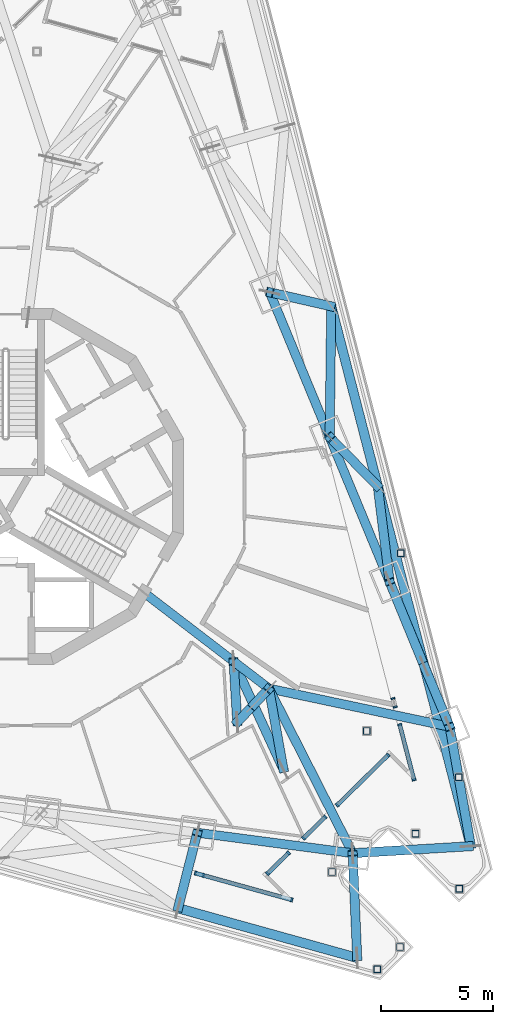
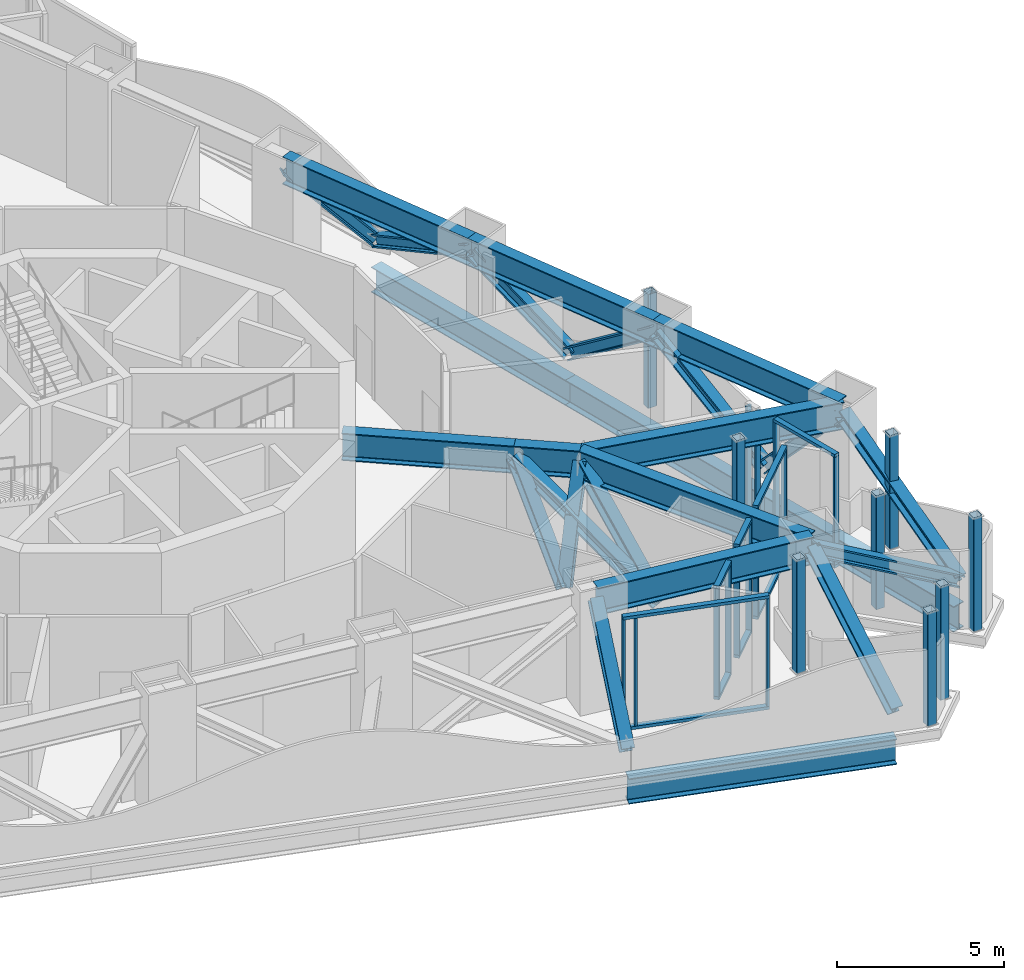
# One storey, part 3 of 22: 54 members, 4 beams, 6 elements without a shape of their own.
"""IFC4 building model written with IfcOpenShell, lengths in metres."""

from ifc_helpers import new_model, si_unit, direction, frame, origin, origin_2d, place, context, subcontext, project, spatial, rectangle, hollow_rectangle, i_section, extrude, material, layer, layer_set, material_profile, profile_set, type_object, element, aggregate, save


model = new_model("IFC4")

# Units and contexts
model_context = context("Model", 3, precision=1e-05, world=origin(), true_north=direction((0.0, 1.0)))
body_context = subcontext(model_context, "Body", "Model", "MODEL_VIEW")
ifc_project = project(units=[si_unit("LENGTHUNIT", "METRE"), si_unit("AREAUNIT", "SQUARE_METRE"), si_unit("VOLUMEUNIT", "CUBIC_METRE"), si_unit("PLANEANGLEUNIT", "RADIAN"), si_unit("MASSUNIT", "GRAM", prefix="KILO")], contexts=[model_context])

# Site, building, storey
site_placement = place(None, origin())
site = spatial("IfcSite", under=ifc_project, at=site_placement, CompositionType="ELEMENT")
building_placement = place(site_placement, origin())
building = spatial("IfcBuilding", under=site, at=building_placement, Name="Trine Commons Tower", CompositionType="ELEMENT")
storey_placement = place(building_placement, frame((0.0, 0.0, 267.300048828125)))
storey = spatial("IfcBuildingStorey", under=building, at=storey_placement, Name="L70", CompositionType="ELEMENT", Elevation=267.300048828125)

# Curtain wall, members
ifc_material_1 = material(Name="Sky lounge glazing: anodised aluminium frame with low-emissivity double glazed unit, solar control", Category="aluminium")
ifc_layer = layer(ifc_material_1, 0.179931640625)
ifc_layer_set = layer_set([ifc_layer], Name="Sky lounge glazing: anodised aluminium frame with low-emissivity double glazed unit, solar control")
curtain_wall_type = type_object("IfcCurtainWallType", Name="Sky lounge glazing curtain wall CW5", PredefinedType="NOTDEFINED", material=ifc_layer_set)
curtain_wall_1_placement = place(storey_placement, origin())
curtain_wall_1 = element("IfcCurtainWall", 1, at=curtain_wall_1_placement, inside=storey, type_object=curtain_wall_type, Name="Sky lounge glazing L70 F2.2", PredefinedType="NOTDEFINED")
ifc_material_2 = material(Name="Anodised aluminium, bronze finish", Category="aluminium")
ifc_material_profile_1 = material_profile(ifc_material_2, rectangle(XDim=0.179931640625, YDim=0.074951171875, at=origin_2d()), Name="Mullion 75x180")
ifc_profile_set_1 = profile_set([ifc_material_profile_1], Name="Anodised aluminium, bronze finish")
member_type_1 = type_object("IfcMemberType", Name="Mullion 75x180, Anodised aluminium, bronze finish", PredefinedType="MULLION", material=ifc_profile_set_1)
member_1_placement = place(storey_placement, frame((97.229248046875, 53.063720703125, 0.10986328125), z_axis=(0.0, 0.0, 1.0), x_axis=(0.968147640378, 0.250380004054, 0.0)))
member_1 = element("IfcMember", 2, at=member_1_placement, type_object=member_type_1, Name="CW5 mullion 1.1", PredefinedType="MULLION", context=body_context, shape_type="SweptSolid", body=[
    extrude(rectangle(XDim=0.179931640625, YDim=0.074951171875, at=origin_2d()), origin(), (0.0, 0.0, 1.0), 3.93017578125),
])
member_2_placement = place(storey_placement, frame((97.325439453125, 52.691162109375, 0.10986328125), z_axis=(0.0, 0.0, 1.0), x_axis=(0.968147640378, 0.250380004054, 0.0)))
member_2 = element("IfcMember", 3, at=member_2_placement, type_object=member_type_1, Name="CW5 mullion 2.1", PredefinedType="MULLION", context=body_context, shape_type="SweptSolid", body=[
    extrude(rectangle(XDim=0.179931640625, YDim=0.074951171875, at=origin_2d()), origin(), (0.0, 0.0, 1.0), 3.93017578125),
])
aggregate(curtain_wall_1, [member_1, member_2])

curtain_wall_2_placement = place(storey_placement, origin())
curtain_wall_2 = element("IfcCurtainWall", 4, at=curtain_wall_2_placement, inside=storey, type_object=curtain_wall_type, Name="Sky lounge glazing L70 F2.3", PredefinedType="NOTDEFINED")
member_3_placement = place(storey_placement, frame((97.52783203125, 51.908447265625, 0.10986328125), z_axis=(0.0, 0.0, 1.0), x_axis=(0.968147640378, 0.250380004054, 0.0)))
member_3 = element("IfcMember", 5, at=member_3_placement, type_object=member_type_1, Name="CW5 mullion 1.1", PredefinedType="MULLION", context=body_context, shape_type="SweptSolid", body=[
    extrude(rectangle(XDim=0.179931640625, YDim=0.074951171875, at=origin_2d()), origin(), (0.0, 0.0, 1.0), 3.93017578125),
])
member_4_placement = place(storey_placement, frame((98.162841796875, 49.453125, 0.10986328125), z_axis=(0.0, 0.0, 1.0), x_axis=(0.968147640378, 0.250380004054, 0.0)))
member_4 = element("IfcMember", 6, at=member_4_placement, type_object=member_type_1, Name="CW5 mullion 2.1", PredefinedType="MULLION", context=body_context, shape_type="SweptSolid", body=[
    extrude(rectangle(XDim=0.179931640625, YDim=0.074951171875, at=origin_2d()), origin(), (0.0, 0.0, 1.0), 3.93017578125),
])

curtain_wall_3_placement = place(storey_placement, origin())
curtain_wall_3 = element("IfcCurtainWall", 7, at=curtain_wall_3_placement, inside=storey, type_object=curtain_wall_type, Name="Sky lounge glazing L70 P2.1", PredefinedType="NOTDEFINED")
member_5_placement = place(storey_placement, frame((97.013916015625, 50.554443359375, 0.10986328125), z_axis=(0.0, 0.0, 1.0), x_axis=(0.7009092643, -0.713250449154, 0.0)))
member_5 = element("IfcMember", 8, at=member_5_placement, type_object=member_type_1, Name="CW5 mullion 1.1", PredefinedType="MULLION", context=body_context, shape_type="SweptSolid", body=[
    extrude(rectangle(XDim=0.179931640625, YDim=0.074951171875, at=origin_2d()), origin(), (0.0, 0.0, 1.0), 3.93017578125),
])
member_6_placement = place(storey_placement, frame((94.742919921875, 48.32275390625, 0.10986328125), z_axis=(0.0, 0.0, 1.0), x_axis=(0.7009092643, -0.713250449154, 0.0)))
member_6 = element("IfcMember", 9, at=member_6_placement, type_object=member_type_1, Name="CW5 mullion 2.1", PredefinedType="MULLION", context=body_context, shape_type="SweptSolid", body=[
    extrude(rectangle(XDim=0.179931640625, YDim=0.074951171875, at=origin_2d()), origin(), (0.0, 0.0, 1.0), 3.93017578125),
])

curtain_wall_4_placement = place(storey_placement, origin())
curtain_wall_4 = element("IfcCurtainWall", 10, at=curtain_wall_4_placement, inside=storey, type_object=curtain_wall_type, Name="Sky lounge glazing L70 P2.2", PredefinedType="NOTDEFINED")
member_7_placement = place(storey_placement, frame((94.214599609375, 47.803466796875, 0.10986328125), z_axis=(0.0, 0.0, 1.0), x_axis=(0.7009092643, -0.713250449154, 0.0)))
member_7 = element("IfcMember", 11, at=member_7_placement, type_object=member_type_1, Name="CW5 mullion 1.1", PredefinedType="MULLION", context=body_context, shape_type="SweptSolid", body=[
    extrude(rectangle(XDim=0.179931640625, YDim=0.074951171875, at=origin_2d()), origin(), (0.0, 0.0, 1.0), 3.93017578125),
])
member_8_placement = place(storey_placement, frame((93.24853515625, 46.854248046875, 0.10986328125), z_axis=(0.0, 0.0, 1.0), x_axis=(0.7009092643, -0.713250449154, 0.0)))
member_8 = element("IfcMember", 12, at=member_8_placement, type_object=member_type_1, Name="CW5 mullion 2.1", PredefinedType="MULLION", context=body_context, shape_type="SweptSolid", body=[
    extrude(rectangle(XDim=0.179931640625, YDim=0.074951171875, at=origin_2d()), origin(), (0.0, 0.0, 1.0), 3.93017578125),
])

curtain_wall_5_placement = place(storey_placement, origin())
curtain_wall_5 = element("IfcCurtainWall", 13, at=curtain_wall_5_placement, inside=storey, type_object=curtain_wall_type, Name="Sky lounge glazing L70 P2.3", PredefinedType="NOTDEFINED")
member_9_placement = place(storey_placement, frame((92.581787109375, 46.198974609375, 0.10986328125), z_axis=(0.0, 0.0, 1.0), x_axis=(0.7009092643, -0.713250449154, 0.0)))
member_9 = element("IfcMember", 14, at=member_9_placement, type_object=member_type_1, Name="CW5 mullion 1.1", PredefinedType="MULLION", context=body_context, shape_type="SweptSolid", body=[
    extrude(rectangle(XDim=0.179931640625, YDim=0.074951171875, at=origin_2d()), origin(), (0.0, 0.0, 1.0), 3.93017578125),
])
member_10_placement = place(storey_placement, frame((91.646728515625, 45.2802734375, 0.10986328125), z_axis=(0.0, 0.0, 1.0), x_axis=(0.7009092643, -0.713250449154, 0.0)))
member_10 = element("IfcMember", 15, at=member_10_placement, type_object=member_type_1, Name="CW5 mullion 2.1", PredefinedType="MULLION", context=body_context, shape_type="SweptSolid", body=[
    extrude(rectangle(XDim=0.179931640625, YDim=0.074951171875, at=origin_2d()), origin(), (0.0, 0.0, 1.0), 3.93017578125),
])

curtain_wall_6_placement = place(storey_placement, origin())
curtain_wall_6 = element("IfcCurtainWall", 16, at=curtain_wall_6_placement, inside=storey, type_object=curtain_wall_type, Name="Sky lounge glazing L70 F3.1", PredefinedType="NOTDEFINED")
member_11_placement = place(storey_placement, frame((92.727783203125, 44.1123046875, 0.10986328125), z_axis=(0.0, 0.0, 1.0), x_axis=(-0.267238376078, -0.963630453209, 0.0)))
member_11 = element("IfcMember", 17, at=member_11_placement, type_object=member_type_1, Name="CW5 mullion 1.1", PredefinedType="MULLION", context=body_context, shape_type="SweptSolid", body=[
    extrude(rectangle(XDim=0.179931640625, YDim=0.074951171875, at=origin_2d()), origin(), (0.0, 0.0, 1.0), 3.93017578125),
])
member_12_placement = place(storey_placement, frame((88.797607421875, 45.2021484375, 0.10986328125), z_axis=(0.0, 0.0, 1.0), x_axis=(-0.267238376078, -0.963630453209, 0.0)))
member_12 = element("IfcMember", 18, at=member_12_placement, type_object=member_type_1, Name="CW5 mullion 2.1", PredefinedType="MULLION", context=body_context, shape_type="SweptSolid", body=[
    extrude(rectangle(XDim=0.179931640625, YDim=0.074951171875, at=origin_2d()), origin(), (0.0, 0.0, 1.0), 3.93017578125),
])
member_13_placement = place(storey_placement, frame((88.44384765625, 45.30029296875, 0.10986328125), z_axis=(0.0, 0.0, 1.0), x_axis=(-0.267238376078, -0.963630453209, 0.0)))
member_13 = element("IfcMember", 19, at=member_13_placement, type_object=member_type_1, Name="CW5 mullion 3.1", PredefinedType="MULLION", context=body_context, shape_type="SweptSolid", body=[
    extrude(rectangle(XDim=0.179931640625, YDim=0.074951171875, at=origin_2d()), origin(), (0.0, 0.0, 1.0), 3.93017578125),
])

# Beams
ifc_material_3 = material(Name="Structural steel ASTM A992 Gr50", Category="steel")
ifc_material_profile_2 = material_profile(ifc_material_3, i_section(OverallWidth=0.39990234375, OverallDepth=1.0, WebThickness=0.01904296875, FlangeThickness=0.0361328125, FilletRadius=0.02978515625, at=origin_2d()), Name="W40X249")
ifc_profile_set_2 = profile_set([ifc_material_profile_2], Name="Structural steel ASTM A992 Gr50")
beam_type = type_object("IfcBeamType", Name="Steel beam W40X249, ASTM A992 Gr50", PredefinedType="BEAM", material=ifc_profile_set_2)
for number, where, z_axis, x_axis, name in (
    (20, (99.750244140625, 51.812744140625, 3.64990234375), (-0.978344380673, 0.206983750099, 0.0), (-0.206983750099, -0.978344380673, 0.0), "Transfer truss girder T7-UV-05"),
    (21, (95.434814453125, 46.188720703125, 3.64990234375), (-0.453122624962, 0.891448196334, 0.0), (-0.891448196334, -0.453122624962, 0.0), "Transfer truss girder T7-UV-06"),
):
    element("IfcBeam", number, at=place(storey_placement, frame(where, z_axis=z_axis, x_axis=x_axis)), inside=storey, type_object=beam_type, Name=name, PredefinedType="BEAM", context=body_context, shape_type="SweptSolid", body=[
        extrude(i_section(OverallWidth=0.39990234375, OverallDepth=1.0, WebThickness=0.01904296875, FlangeThickness=0.0361328125, FilletRadius=0.02978515625, at=origin_2d()), origin(), (0.0, 0.0, 1.0), 8.216552734375),
    ])
beam_1_placement = place(storey_placement, frame((86.020751953125, 57.880126953125, 3.64990234375), z_axis=(0.793345788698, -0.60877127031, 0.0), x_axis=(0.60877127031, 0.793345788698, 0.0)))
element("IfcBeam", 22, at=beam_1_placement, inside=storey, type_object=beam_type, Name="Transfer truss girder T7-UR-01", PredefinedType="BEAM", context=body_context, shape_type="SweptSolid", body=[
    extrude(i_section(OverallWidth=0.39990234375, OverallDepth=1.0, WebThickness=0.01904296875, FlangeThickness=0.0361328125, FilletRadius=0.02978515625, at=origin_2d()), origin(), (0.0, 0.0, 1.0), 5.18896484375),
])
beam_2_placement = place(storey_placement, frame((90.137451171875, 54.72119140625, 3.64990234375), z_axis=(0.793396387846, -0.608705324236, 0.0), x_axis=(0.608705324236, 0.793396387846, 0.0)))
element("IfcBeam", 23, at=beam_2_placement, inside=storey, type_object=beam_type, Name="Transfer truss girder T7-UR-02", PredefinedType="BEAM", context=body_context, shape_type="SweptSolid", body=[
    extrude(i_section(OverallWidth=0.39990234375, OverallDepth=1.0, WebThickness=0.01904296875, FlangeThickness=0.0361328125, FilletRadius=0.02978515625, at=origin_2d()), origin(), (0.0, 0.0, 1.0), 1.984130859375),
])

# Members
ifc_material_profile_3 = material_profile(ifc_material_3, i_section(OverallWidth=0.40966796875, OverallDepth=0.42529296875, WebThickness=0.03271484375, FlangeThickness=0.052490234375, FilletRadius=0.01513671875, at=origin_2d()), Name="W14X283")
ifc_profile_set_3 = profile_set([ifc_material_profile_3], Name="Structural steel ASTM A992 Gr50")
member_type_2 = type_object("IfcMemberType", Name="Steel brace W14X283, ASTM A992 Gr50", PredefinedType="BRACE", material=ifc_profile_set_3)
member_14_placement = place(storey_placement, frame((95.63671875, 41.531005859375, 0.463623046875), z_axis=(-0.035754908858, 0.824827268682, 0.56425310219), x_axis=(-0.999061781904, -0.043307689152, 0.0)))
element("IfcMember", 24, at=member_14_placement, inside=storey, type_object=member_type_2, Name="Transfer truss brace T7-DG-01", PredefinedType="BRACE", context=body_context, shape_type="SweptSolid", body=[
    extrude(i_section(OverallWidth=0.40966796875, OverallDepth=0.42529296875, WebThickness=0.03271484375, FlangeThickness=0.052490234375, FilletRadius=0.01513671875, at=origin_2d()), origin(), (0.0, 0.0, 1.0), 5.64697265625),
])
member_15_placement = place(storey_placement, frame((100.693115234375, 46.499755859375, 0.463623046875), z_axis=(-0.854146632737, -0.05052385598, 0.517572091366), x_axis=(0.059048056919, -0.998255141221, 0.0)))
element("IfcMember", 25, at=member_15_placement, inside=storey, type_object=member_type_2, Name="Transfer truss brace T7-DG-02", PredefinedType="BRACE", context=body_context, shape_type="SweptSolid", body=[
    extrude(i_section(OverallWidth=0.40966796875, OverallDepth=0.42529296875, WebThickness=0.03271484375, FlangeThickness=0.052490234375, FilletRadius=0.01513671875, at=origin_2d()), origin(), (0.0, 0.0, 1.0), 6.15625),
])
member_16_placement = place(storey_placement, frame((87.668701171875, 43.74072265625, 0.463623046875), z_axis=(0.181219614913, 0.713416085611, 0.67690245971), x_axis=(-0.969219560845, 0.246197974961, 0.0)))
element("IfcMember", 26, at=member_16_placement, inside=storey, type_object=member_type_2, Name="Transfer truss brace T7-DG-03", PredefinedType="BRACE", context=body_context, shape_type="SweptSolid", body=[
    extrude(i_section(OverallWidth=0.40966796875, OverallDepth=0.42529296875, WebThickness=0.03271484375, FlangeThickness=0.052490234375, FilletRadius=0.01513671875, at=origin_2d()), origin(), (0.0, 0.0, 1.0), 4.70703125),
])
member_17_placement = place(storey_placement, frame((94.48193359375, 70.515625, 0.463623046875), z_axis=(-0.644490311956, 0.146733809984, 0.750400844084), x_axis=(-0.2219933071, -0.975048189375, 0.0)))
element("IfcMember", 27, at=member_17_placement, inside=storey, type_object=member_type_2, Name="Transfer truss brace T7-DG-29", PredefinedType="BRACE", context=body_context, shape_type="SweptSolid", body=[
    extrude(i_section(OverallWidth=0.40966796875, OverallDepth=0.42529296875, WebThickness=0.03271484375, FlangeThickness=0.052490234375, FilletRadius=0.01513671875, at=origin_2d()), origin(), (0.0, 0.0, 1.0), 4.24609375),
])
member_18_placement = place(storey_placement, frame((96.55224609375, 62.51025390625, 0.463623046875), z_axis=(-0.484224696924, 0.495058948134, 0.721417410908), x_axis=(-0.714886068877, -0.699240951693, 0.0)))
element("IfcMember", 28, at=member_18_placement, inside=storey, type_object=member_type_2, Name="Transfer truss brace T7-DG-31", PredefinedType="BRACE", context=body_context, shape_type="SweptSolid", body=[
    extrude(i_section(OverallWidth=0.40966796875, OverallDepth=0.42529296875, WebThickness=0.03271484375, FlangeThickness=0.052490234375, FilletRadius=0.01513671875, at=origin_2d()), origin(), (0.0, 0.0, 1.0), 4.416748046875),
])
member_19_placement = place(storey_placement, frame((94.48193359375, 70.515625, 0.463623046875), z_axis=(-0.010303685999, -0.877064471801, 0.480262164197), x_axis=(0.999931000293, -0.011747112532, 0.0)))
element("IfcMember", 29, at=member_19_placement, inside=storey, type_object=member_type_2, Name="Transfer truss brace T7-DG-32", PredefinedType="BRACE", context=body_context, shape_type="SweptSolid", body=[
    extrude(i_section(OverallWidth=0.40966796875, OverallDepth=0.42529296875, WebThickness=0.03271484375, FlangeThickness=0.052490234375, FilletRadius=0.01513671875, at=origin_2d()), origin(), (0.0, 0.0, 1.0), 6.634521484375),
])
member_20_placement = place(storey_placement, frame((98.622802734375, 54.5048828125, 0.463623046875), z_axis=(-0.298858803655, 0.727213619349, 0.617935083412), x_axis=(-0.92493854369, -0.380116679977, 0.0)))
element("IfcMember", 30, at=member_20_placement, inside=storey, type_object=member_type_2, Name="Transfer truss brace T7-DG-33", PredefinedType="BRACE", context=body_context, shape_type="SweptSolid", body=[
    extrude(i_section(OverallWidth=0.40966796875, OverallDepth=0.42529296875, WebThickness=0.03271484375, FlangeThickness=0.052490234375, FilletRadius=0.01513671875, at=origin_2d()), origin(), (0.0, 0.0, 1.0), 5.15625),
])
member_21_placement = place(storey_placement, frame((96.55224609375, 62.51025390625, 0.463623046875), z_axis=(0.099117288176, -0.796548386442, 0.596394526502), x_axis=(0.992346914173, 0.123481180474, 0.0)))
element("IfcMember", 31, at=member_21_placement, inside=storey, type_object=member_type_2, Name="Transfer truss brace T7-DG-34", PredefinedType="BRACE", context=body_context, shape_type="SweptSolid", body=[
    extrude(i_section(OverallWidth=0.40966796875, OverallDepth=0.42529296875, WebThickness=0.03271484375, FlangeThickness=0.052490234375, FilletRadius=0.01513671875, at=origin_2d()), origin(), (0.0, 0.0, 1.0), 5.342529296875),
])
member_22_placement = place(storey_placement, frame((98.622802734375, 54.5048828125, 0.463623046875), z_axis=(0.260920922834, -0.623034867063, 0.737392586382), x_axis=(0.922380002342, 0.386283744519, 0.0)))
element("IfcMember", 32, at=member_22_placement, inside=storey, type_object=member_type_2, Name="Transfer truss brace T7-DG-35", PredefinedType="BRACE", context=body_context, shape_type="SweptSolid", body=[
    extrude(i_section(OverallWidth=0.40966796875, OverallDepth=0.42529296875, WebThickness=0.03271484375, FlangeThickness=0.052490234375, FilletRadius=0.01513671875, at=origin_2d()), origin(), (0.0, 0.0, 1.0), 4.321044921875),
])
member_23_placement = place(storey_placement, frame((100.693115234375, 46.499755859375, 0.463623046875), z_axis=(-0.150461764315, 0.847837626881, 0.508461026947), x_axis=(-0.98461548275, -0.174735088429, 0.0)))
element("IfcMember", 33, at=member_23_placement, inside=storey, type_object=member_type_2, Name="Transfer truss brace T7-DG-36", PredefinedType="BRACE", context=body_context, shape_type="SweptSolid", body=[
    extrude(i_section(OverallWidth=0.40966796875, OverallDepth=0.42529296875, WebThickness=0.03271484375, FlangeThickness=0.052490234375, FilletRadius=0.01513671875, at=origin_2d()), origin(), (0.0, 0.0, 1.0), 6.2666015625),
])
member_24_placement = place(storey_placement, frame((90.301513671875, 52.01708984375, 0.463623046875), z_axis=(-0.039228014325, 0.646561736114, 0.761852403216), x_axis=(-0.998164536819, -0.060560361931, 0.0)))
element("IfcMember", 34, at=member_24_placement, inside=storey, type_object=member_type_2, Name="Transfer truss brace T7-DG-37", PredefinedType="BRACE", context=body_context, shape_type="SweptSolid", body=[
    extrude(i_section(OverallWidth=0.40966796875, OverallDepth=0.42529296875, WebThickness=0.03271484375, FlangeThickness=0.052490234375, FilletRadius=0.01513671875, at=origin_2d()), origin(), (0.0, 0.0, 1.0), 4.182373046875),
])
member_25_placement = place(storey_placement, frame((92.352783203125, 49.9296875, 0.463623046875), z_axis=(-0.359286478178, 0.777094602239, 0.516756427893), x_axis=(-0.90768033664, -0.419662252862, 0.0)))
element("IfcMember", 35, at=member_25_placement, inside=storey, type_object=member_type_2, Name="Transfer truss brace T7-DG-38", PredefinedType="BRACE", context=body_context, shape_type="SweptSolid", body=[
    extrude(i_section(OverallWidth=0.40966796875, OverallDepth=0.42529296875, WebThickness=0.03271484375, FlangeThickness=0.052490234375, FilletRadius=0.01513671875, at=origin_2d()), origin(), (0.0, 0.0, 1.0), 6.166015625),
])
member_26_placement = place(storey_placement, frame((90.301513671875, 52.01708984375, 0.463623046875), z_axis=(0.335055868417, 0.354230752453, 0.873073959671), x_axis=(-0.726496343362, 0.687170330473, 0.0)))
element("IfcMember", 36, at=member_26_placement, inside=storey, type_object=member_type_2, Name="Transfer truss brace T7-DG-39a", PredefinedType="BRACE", context=body_context, shape_type="SweptSolid", body=[
    extrude(i_section(OverallWidth=0.40966796875, OverallDepth=0.42529296875, WebThickness=0.03271484375, FlangeThickness=0.052490234375, FilletRadius=0.01513671875, at=origin_2d()), origin(), (0.0, 0.0, 1.0), 2.17724609375),
])
member_27_placement = place(storey_placement, frame((91.031005859375, 52.788330078125, 2.364501953125), z_axis=(0.418814736677, 0.446154866546, 0.790910899786), x_axis=(-0.729093032301, 0.684414604059, 0.0)))
element("IfcMember", 37, at=member_27_placement, inside=storey, type_object=member_type_2, Name="Transfer truss brace T7-DG-39b", PredefinedType="BRACE", context=body_context, shape_type="SweptSolid", body=[
    extrude(i_section(OverallWidth=0.40966796875, OverallDepth=0.42529296875, WebThickness=0.03271484375, FlangeThickness=0.052490234375, FilletRadius=0.01513671875, at=origin_2d()), origin(), (0.0, 0.0, 1.0), 1.625244140625),
])
member_28_placement = place(storey_placement, frame((92.352783203125, 49.9296875, 0.463623046875), z_axis=(-0.13251518389, 0.740742720608, 0.658589362126), x_axis=(-0.984372403699, -0.176099320942, 0.0)))
element("IfcMember", 38, at=member_28_placement, inside=storey, type_object=member_type_2, Name="Transfer truss brace T7-DG-40", PredefinedType="BRACE", context=body_context, shape_type="SweptSolid", body=[
    extrude(i_section(OverallWidth=0.40966796875, OverallDepth=0.42529296875, WebThickness=0.03271484375, FlangeThickness=0.052490234375, FilletRadius=0.01513671875, at=origin_2d()), origin(), (0.0, 0.0, 1.0), 4.838134765625),
])
ifc_material_profile_4 = material_profile(ifc_material_3, i_section(OverallWidth=0.419189453125, OverallDepth=0.927001953125, WebThickness=0.019287109375, FlangeThickness=0.031982421875, FilletRadius=0.024169921875, at=origin_2d()), Name="W36X231")
ifc_profile_set_4 = profile_set([ifc_material_profile_4], Name="Structural steel ASTM A992 Gr50")
member_type_3 = type_object("IfcMemberType", Name="Steel chord W36X231, ASTM A992 Gr50", PredefinedType="CHORD", material=ifc_profile_set_4)
for number, where, z_axis, x_axis, name in (
    (39, (95.63671875, 41.531005859375, -0.91357421875), (-0.963630766047, 0.267237248016, 0.0), (-0.267237248016, -0.963630766047, 0.0), "Transfer truss chord T7-LC-01"),
    (40, (94.48193359375, 70.515625, -0.91357421875), (0.250378050465, -0.968148145608, 0.0), (0.968148145608, 0.250378050465, 0.0), "Transfer truss chord T7-LC-13"),
    (41, (96.55224609375, 62.51025390625, -0.91357421875), (0.25040572493, -0.968140988143, 0.0), (0.968140988143, 0.25040572493, 0.0), "Transfer truss chord T7-LC-14"),
):
    element("IfcMember", number, at=place(storey_placement, frame(where, z_axis=z_axis, x_axis=x_axis)), inside=storey, type_object=member_type_3, Name=name, PredefinedType="CHORD", context=body_context, shape_type="SweptSolid", body=[
        extrude(i_section(OverallWidth=0.419189453125, OverallDepth=0.927001953125, WebThickness=0.019287109375, FlangeThickness=0.031982421875, FilletRadius=0.024169921875, at=origin_2d()), origin(), (0.0, 0.0, 1.0), 8.268798828125),
    ])
member_29_placement = place(storey_placement, frame((98.622802734375, 54.5048828125, -0.91357421875), z_axis=(0.250385207786, -0.968146294587, 0.0), x_axis=(0.968146294587, 0.250385207786, 0.0)))
element("IfcMember", 42, at=member_29_placement, inside=storey, type_object=member_type_3, Name="Transfer truss chord T7-LC-15", PredefinedType="CHORD", context=body_context, shape_type="SweptSolid", body=[
    extrude(i_section(OverallWidth=0.419189453125, OverallDepth=0.927001953125, WebThickness=0.019287109375, FlangeThickness=0.031982421875, FilletRadius=0.024169921875, at=origin_2d()), origin(), (0.0, 0.0, 1.0), 8.2685546875),
])
ifc_material_profile_5 = material_profile(ifc_material_3, i_section(OverallWidth=0.39990234375, OverallDepth=1.0, WebThickness=0.01904296875, FlangeThickness=0.0361328125, FilletRadius=0.02978515625, at=origin_2d()), Name="W40X249")
ifc_profile_set_5 = profile_set([ifc_material_profile_5], Name="Structural steel ASTM A992 Gr50")
member_type_4 = type_object("IfcMemberType", Name="Steel chord W40X249, ASTM A992 Gr50", PredefinedType="CHORD", material=ifc_profile_set_5)
for number, where, z_axis, x_axis, name in (
    (43, (95.434814453125, 46.188720703125, 3.64990234375), (-0.991444281936, 0.130530593412, 0.0), (-0.130530593412, -0.991444281936, 0.0), "Transfer truss chord T7-UC-01"),
    (44, (91.745361328125, 71.138671875, 3.64990234375), (0.382670310457, -0.923884967674, 0.0), (0.923884967674, 0.382670310457, 0.0), "Transfer truss chord T7-UC-13"),
):
    element("IfcMember", number, at=place(storey_placement, frame(where, z_axis=z_axis, x_axis=x_axis)), inside=storey, type_object=member_type_4, Name=name, PredefinedType="CHORD", context=body_context, shape_type="SweptSolid", body=[
        extrude(i_section(OverallWidth=0.39990234375, OverallDepth=1.0, WebThickness=0.01904296875, FlangeThickness=0.0361328125, FilletRadius=0.02978515625, at=origin_2d()), origin(), (0.0, 0.0, 1.0), 6.97265625),
    ])
member_30_placement = place(storey_placement, frame((94.41357421875, 64.69677734375, 3.64990234375), z_axis=(0.382657931782, -0.923890094787, 0.0), x_axis=(0.923890094787, 0.382657931782, 0.0)))
element("IfcMember", 45, at=member_30_placement, inside=storey, type_object=member_type_4, Name="Transfer truss chord T7-UC-14", PredefinedType="CHORD", context=body_context, shape_type="SweptSolid", body=[
    extrude(i_section(OverallWidth=0.39990234375, OverallDepth=1.0, WebThickness=0.01904296875, FlangeThickness=0.0361328125, FilletRadius=0.02978515625, at=origin_2d()), origin(), (0.0, 0.0, 1.0), 6.972900390625),
])
member_31_placement = place(storey_placement, frame((97.081787109375, 58.254638671875, 3.64990234375), z_axis=(0.382700196706, -0.923872588316, 0.0), x_axis=(0.923872588316, 0.382700196706, 0.0)))
element("IfcMember", 46, at=member_31_placement, inside=storey, type_object=member_type_4, Name="Transfer truss chord T7-UC-15", PredefinedType="CHORD", context=body_context, shape_type="SweptSolid", body=[
    extrude(i_section(OverallWidth=0.39990234375, OverallDepth=1.0, WebThickness=0.01904296875, FlangeThickness=0.0361328125, FilletRadius=0.02978515625, at=origin_2d()), origin(), (0.0, 0.0, 1.0), 6.97265625),
])
ifc_material_4 = material(Name="Structural steel ASTM A500 Gr C", Category="steel")
ifc_material_profile_6 = material_profile(ifc_material_4, hollow_rectangle(XDim=0.3046875, YDim=0.3046875, WallThickness=0.014892578125, InnerFilletRadius=0.00732421875, OuterFilletRadius=0.022216796875, at=origin_2d()), Name="HSS12X12X5/8")
ifc_profile_set_6 = profile_set([ifc_material_profile_6], Name="Structural steel ASTM A500 Gr C")
member_type_5 = type_object("IfcMemberType", Name="Steel post HSS12X12X5/8, ASTM A500 Gr C", PredefinedType="POST", material=ifc_profile_set_6)
for number, where, z_axis, x_axis, name in (
    (47, (97.538818359375, 42.012939453125, 0.0), (0.0, 0.0, 1.0), (1.0, 0.0, 0.0), "Roof post SP7-42"),
    (48, (94.515869140625, 45.3515625, 0.0), (0.0, 0.0, 1.0), (1.0, 0.0, 0.0), "Roof post SP7-43"),
    (49, (96.531494140625, 41.023193359375, 0.0), (0.0, 0.0, 1.0), (1.0, 0.0, 0.0), "Roof post SP7-44"),
    (50, (97.580078125, 59.5341796875, 0.0), (0.0, 0.0, 1.0), (1.0, 0.0, 0.0), "Roof post SP7-51"),
    (51, (100.177734375, 44.6064453125, 0.0), (0.0, 0.0, 1.0), (1.0, 0.0, 0.0), "Roof post SP7-61"),
    (52, (96.062744140625, 51.624267578125, 0.0), (0.0, 0.0, 1.0), (1.0, 0.0, 0.0), "Roof post SP7-62"),
    (53, (100.157470703125, 49.568603515625, 0.0), (0.0, 0.0, 1.0), (1.0, 0.0, 0.0), "Roof post SP7-63"),
    (54, (98.232666015625, 47.06005859375, 0.0), (0.0, 0.0, 1.0), (1.0, 0.0, 0.0), "Roof post SP7-64"),
):
    element("IfcMember", number, at=place(storey_placement, frame(where, z_axis=z_axis, x_axis=x_axis)), inside=storey, type_object=member_type_5, Name=name, PredefinedType="POST", context=body_context, shape_type="SweptSolid", body=[
        extrude(hollow_rectangle(XDim=0.3046875, YDim=0.3046875, WallThickness=0.014892578125, InnerFilletRadius=0.00732421875, OuterFilletRadius=0.022216796875, at=origin_2d()), origin(), (0.0, 0.0, 1.0), 4.14990234375),
    ])

# Member
ifc_material_profile_7 = material_profile(ifc_material_2, rectangle(XDim=0.179931640625, YDim=0.110107421875, at=origin_2d()), Name="Transom 110x180")
ifc_profile_set_7 = profile_set([ifc_material_profile_7], Name="Anodised aluminium, bronze finish")
member_type_6 = type_object("IfcMemberType", Name="Transom 110x180, Anodised aluminium, bronze finish", PredefinedType="USERDEFINED", material=ifc_profile_set_7)
member_32_placement = place(storey_placement, frame((97.5185546875, 51.94482421875, 0.054931640625), z_axis=(0.250403976918, -0.968141440257, 0.0), x_axis=(0.968141440257, 0.250403976918, 0.0)))
member_32 = element("IfcMember", 55, at=member_32_placement, type_object=member_type_6, Name="CW5 transom T00", ObjectType="TRANSOM", PredefinedType="USERDEFINED", context=body_context, shape_type="SweptSolid", body=[
    extrude(rectangle(XDim=0.179931640625, YDim=0.110107421875, at=origin_2d()), origin(), (0.0, 0.0, 1.0), 2.611083984375),
])

member_33_placement = place(storey_placement, frame((97.5185546875, 51.94482421875, 4.094970703125), z_axis=(0.250403976918, -0.968141440257, 0.0), x_axis=(0.968141440257, 0.250403976918, 0.0)))
member_33 = element("IfcMember", 56, at=member_33_placement, type_object=member_type_6, Name="CW5 transom TH00", ObjectType="TRANSOM", PredefinedType="USERDEFINED", context=body_context, shape_type="SweptSolid", body=[
    extrude(rectangle(XDim=0.179931640625, YDim=0.110107421875, at=origin_2d()), origin(), (0.0, 0.0, 1.0), 2.611083984375),
])

aggregate(curtain_wall_2, [member_32, member_33, member_3, member_4])

member_34_placement = place(storey_placement, frame((97.040771484375, 50.580810546875, 0.054931640625), z_axis=(-0.713259561555, -0.700899991333, 0.0), x_axis=(0.700899991333, -0.713259561555, 0.0)))
member_34 = element("IfcMember", 57, at=member_34_placement, type_object=member_type_6, Name="CW5 transom T00", ObjectType="TRANSOM", PredefinedType="USERDEFINED", context=body_context, shape_type="SweptSolid", body=[
    extrude(rectangle(XDim=0.179931640625, YDim=0.110107421875, at=origin_2d()), origin(), (0.0, 0.0, 1.0), 3.25927734375),
])

member_35_placement = place(storey_placement, frame((97.040771484375, 50.580810546875, 4.094970703125), z_axis=(-0.713259561555, -0.700899991333, 0.0), x_axis=(0.700899991333, -0.713259561555, 0.0)))
member_35 = element("IfcMember", 58, at=member_35_placement, type_object=member_type_6, Name="CW5 transom TH00", ObjectType="TRANSOM", PredefinedType="USERDEFINED", context=body_context, shape_type="SweptSolid", body=[
    extrude(rectangle(XDim=0.179931640625, YDim=0.110107421875, at=origin_2d()), origin(), (0.0, 0.0, 1.0), 3.25927734375),
])

aggregate(curtain_wall_3, [member_34, member_35, member_5, member_6])

member_36_placement = place(storey_placement, frame((94.2412109375, 47.829833984375, 0.054931640625), z_axis=(-0.713144644715, -0.701016915427, 0.0), x_axis=(0.701016915427, -0.713144644715, 0.0)))
member_36 = element("IfcMember", 59, at=member_36_placement, type_object=member_type_6, Name="CW5 transom T00", ObjectType="TRANSOM", PredefinedType="USERDEFINED", context=body_context, shape_type="SweptSolid", body=[
    extrude(rectangle(XDim=0.179931640625, YDim=0.110107421875, at=origin_2d()), origin(), (0.0, 0.0, 1.0), 1.42919921875),
])

member_37_placement = place(storey_placement, frame((94.2412109375, 47.829833984375, 4.094970703125), z_axis=(-0.713144644715, -0.701016915427, 0.0), x_axis=(0.701016915427, -0.713144644715, 0.0)))
member_37 = element("IfcMember", 60, at=member_37_placement, type_object=member_type_6, Name="CW5 transom TH00", ObjectType="TRANSOM", PredefinedType="USERDEFINED", context=body_context, shape_type="SweptSolid", body=[
    extrude(rectangle(XDim=0.179931640625, YDim=0.110107421875, at=origin_2d()), origin(), (0.0, 0.0, 1.0), 1.42919921875),
])

aggregate(curtain_wall_4, [member_36, member_37, member_7, member_8])

member_38_placement = place(storey_placement, frame((92.6083984375, 46.225341796875, 0.054931640625), z_axis=(-0.713158715448, -0.70100260098, 0.0), x_axis=(0.70100260098, -0.713158715448, 0.0)))
member_38 = element("IfcMember", 61, at=member_38_placement, type_object=member_type_6, Name="CW5 transom T00", ObjectType="TRANSOM", PredefinedType="USERDEFINED", context=body_context, shape_type="SweptSolid", body=[
    extrude(rectangle(XDim=0.179931640625, YDim=0.110107421875, at=origin_2d()), origin(), (0.0, 0.0, 1.0), 1.3857421875),
])

member_39_placement = place(storey_placement, frame((92.6083984375, 46.225341796875, 4.094970703125), z_axis=(-0.713158715448, -0.70100260098, 0.0), x_axis=(0.70100260098, -0.713158715448, 0.0)))
member_39 = element("IfcMember", 62, at=member_39_placement, type_object=member_type_6, Name="CW5 transom TH00", ObjectType="TRANSOM", PredefinedType="USERDEFINED", context=body_context, shape_type="SweptSolid", body=[
    extrude(rectangle(XDim=0.179931640625, YDim=0.110107421875, at=origin_2d()), origin(), (0.0, 0.0, 1.0), 1.3857421875),
])

aggregate(curtain_wall_5, [member_38, member_39, member_9, member_10])

member_40_placement = place(storey_placement, frame((92.763916015625, 44.102294921875, 0.054931640625), z_axis=(-0.963634650971, 0.267223238974, 0.0), x_axis=(-0.267223238974, -0.963634650971, 0.0)))
member_40 = element("IfcMember", 63, at=member_40_placement, type_object=member_type_6, Name="CW5 transom T00", ObjectType="TRANSOM", PredefinedType="USERDEFINED", context=body_context, shape_type="SweptSolid", body=[
    extrude(rectangle(XDim=0.179931640625, YDim=0.110107421875, at=origin_2d()), origin(), (0.0, 0.0, 1.0), 4.5205078125),
])

member_41_placement = place(storey_placement, frame((92.763916015625, 44.102294921875, 4.094970703125), z_axis=(-0.963634650971, 0.267223238974, 0.0), x_axis=(-0.267223238974, -0.963634650971, 0.0)))
member_41 = element("IfcMember", 64, at=member_41_placement, type_object=member_type_6, Name="CW5 transom TH00", ObjectType="TRANSOM", PredefinedType="USERDEFINED", context=body_context, shape_type="SweptSolid", body=[
    extrude(rectangle(XDim=0.179931640625, YDim=0.110107421875, at=origin_2d()), origin(), (0.0, 0.0, 1.0), 4.5205078125),
])

aggregate(curtain_wall_6, [member_40, member_41, member_11, member_12, member_13])

save(model, "model.ifc")
